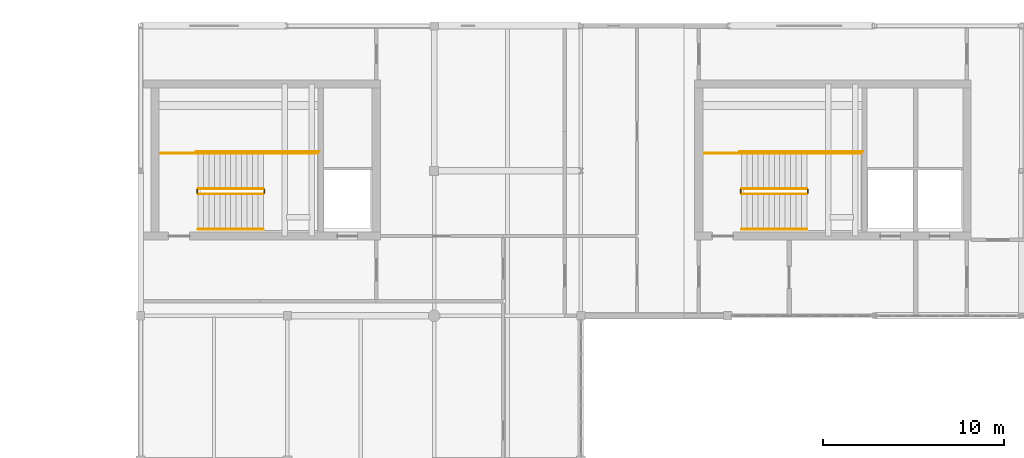
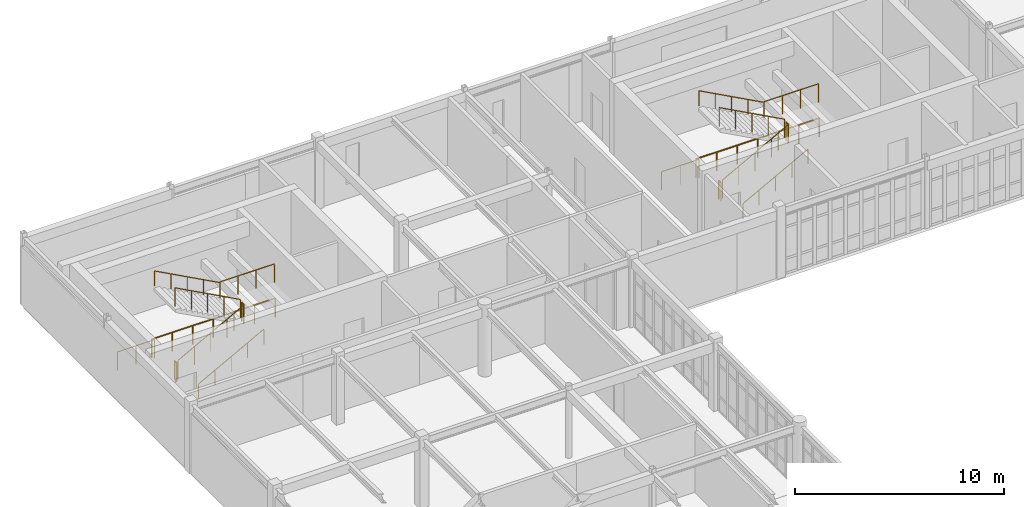
# One storey, part 35 of 36: 18 railings.
"""IFC4 building model written with IfcOpenShell, lengths in metres."""

from ifc_helpers import new_model, si_unit, direction, frame, origin, origin_2d, place, context, subcontext, project, spatial, circle, extrude, material, type_object, element, save


model = new_model("IFC4")

# Units and contexts
model_context = context("Model", 3, precision=1e-05, world=origin(), true_north=direction((0.0, 1.0)))
body_context = subcontext(model_context, "Body", "Model", "MODEL_VIEW")
ifc_project = project(units=[si_unit("LENGTHUNIT", "METRE"), si_unit("AREAUNIT", "SQUARE_METRE"), si_unit("VOLUMEUNIT", "CUBIC_METRE"), si_unit("PLANEANGLEUNIT", "RADIAN"), si_unit("MASSUNIT", "GRAM", prefix="KILO")], contexts=[model_context])

# Site, building, storey
site_placement = place(None, origin())
site = spatial("IfcSite", under=ifc_project, at=site_placement, CompositionType="ELEMENT")
building_placement = place(site_placement, origin())
building = spatial("IfcBuilding", under=site, at=building_placement, Name="Tarnveldt Square Police Headquarters", CompositionType="ELEMENT")
storey_placement = place(building_placement, frame((0.0, 0.0, 24.89990234375)))
storey = spatial("IfcBuildingStorey", under=building, at=storey_placement, Name="L05", CompositionType="ELEMENT", Elevation=24.89990234375)

# Railings
ifc_material = material(Name="Steel 350W", Category="steel")
railing_type_1 = type_object("IfcRailingType", Name="RL-GR-1100", PredefinedType="GUARDRAIL", material=ifc_material)
railing_1_placement = place(storey_placement, frame((19.3701171875, 102.719970703125, 0.16162109375)))
element("IfcRailing", 1, at=railing_1_placement, inside=storey, type_object=railing_type_1, Name="L05 ST2 stair guard 1", PredefinedType="GUARDRAIL", context=body_context, shape_type="SweptSolid", body=[
    extrude(circle(Radius=0.02392578125, at=origin_2d()), frame((0.0, 0.0, 1.076171875), z_axis=(0.880461512865, 0.0, 0.474117627138), x_axis=(0.0, 1.0, 0.0)), (0.0, 0.0, 1.0), 4.088623046875),
    extrude(circle(Radius=0.02099609375, at=origin_2d()), origin(), (0.0, 0.0, 1.0), 1.052001953125),
    extrude(circle(Radius=0.02099609375, at=origin_2d()), frame((0.89990234375, 0.0, 0.484619140625)), (0.0, 0.0, 1.0), 1.052001953125),
    extrude(circle(Radius=0.02099609375, at=origin_2d()), frame((1.7998046875, 0.0, 0.96923828125)), (0.0, 0.0, 1.0), 1.052001953125),
    extrude(circle(Radius=0.02099609375, at=origin_2d()), frame((2.699951171875, 0.0, 1.453857421875)), (0.0, 0.0, 1.0), 1.052001953125),
    extrude(circle(Radius=0.02099609375, at=origin_2d()), frame((3.599853515625, 0.0, 1.9384765625)), (0.0, 0.0, 1.0), 1.052001953125),
])
railing_2_placement = place(storey_placement, frame((23.02001953125, 102.77001953125, 2.10009765625)))
element("IfcRailing", 2, at=railing_2_placement, inside=storey, type_object=railing_type_1, Name="L05 ST2 stair guard 2", PredefinedType="GUARDRAIL", context=body_context, shape_type="SweptSolid", body=[
    extrude(circle(Radius=0.02392578125, at=origin_2d()), frame((0.0, 0.0, 1.076171875), z_axis=(0.0, 1.0, 0.0), x_axis=(-1.0, 0.0, 0.0)), (0.0, 0.0, 1.0), 0.199951171875),
    extrude(circle(Radius=0.02099609375, at=origin_2d()), origin(), (0.0, 0.0, 1.0), 1.052001953125),
    extrude(circle(Radius=0.02099609375, at=origin_2d()), frame((0.0, 0.199951171875, 0.0)), (0.0, 0.0, 1.0), 1.052001953125),
])
railing_3_placement = place(storey_placement, frame((22.969970703125, 104.969970703125, 2.10009765625)))
element("IfcRailing", 3, at=railing_3_placement, inside=storey, type_object=railing_type_1, Name="L05 ST2 stair guard 3", PredefinedType="GUARDRAIL", context=body_context, shape_type="SweptSolid", body=[
    extrude(circle(Radius=0.02392578125, at=origin_2d()), frame((0.0, 0.0, 1.076171875), z_axis=(1.0, 0.0, 0.0), x_axis=(0.0, 1.0, 0.0)), (0.0, 0.0, 1.0), 3.0),
    extrude(circle(Radius=0.02099609375, at=origin_2d()), origin(), (0.0, 0.0, 1.0), 1.052001953125),
    extrude(circle(Radius=0.02099609375, at=origin_2d()), frame((1.0, 0.0, 0.0)), (0.0, 0.0, 1.0), 1.052001953125),
    extrude(circle(Radius=0.02099609375, at=origin_2d()), frame((2.0, 0.0, 0.0)), (0.0, 0.0, 1.0), 1.052001953125),
    extrude(circle(Radius=0.02099609375, at=origin_2d()), frame((3.0, 0.0, 0.0)), (0.0, 0.0, 1.0), 1.052001953125),
])
railing_4_placement = place(storey_placement, frame((22.969970703125, 103.02001953125, 2.26171875)))
element("IfcRailing", 4, at=railing_4_placement, inside=storey, type_object=railing_type_1, Name="L05 ST2 stair guard 4", PredefinedType="GUARDRAIL", context=body_context, shape_type="SweptSolid", body=[
    extrude(circle(Radius=0.02392578125, at=origin_2d()), frame((0.0, 0.0, 1.076171875), z_axis=(-0.880461512865, 0.0, 0.474117627138), x_axis=(0.0, -1.0, 0.0)), (0.0, 0.0, 1.0), 4.088623046875),
    extrude(circle(Radius=0.02099609375, at=origin_2d()), origin(), (0.0, 0.0, 1.0), 1.052001953125),
    extrude(circle(Radius=0.02099609375, at=origin_2d()), frame((-0.89990234375, 0.0, 0.484619140625)), (0.0, 0.0, 1.0), 1.052001953125),
    extrude(circle(Radius=0.02099609375, at=origin_2d()), frame((-1.7998046875, 0.0, 0.96923828125)), (0.0, 0.0, 1.0), 1.052001953125),
    extrude(circle(Radius=0.02099609375, at=origin_2d()), frame((-2.699951171875, 0.0, 1.453857421875)), (0.0, 0.0, 1.0), 1.052001953125),
    extrude(circle(Radius=0.02099609375, at=origin_2d()), frame((-3.599853515625, 0.0, 1.9384765625)), (0.0, 0.0, 1.0), 1.052001953125),
])
railing_5_placement = place(storey_placement, frame((19.320068359375, 102.77001953125, 0.0)))
element("IfcRailing", 5, at=railing_5_placement, inside=storey, type_object=railing_type_1, Name="L05 ST2 stair guard 5", PredefinedType="GUARDRAIL", context=body_context, shape_type="SweptSolid", body=[
    extrude(circle(Radius=0.02392578125, at=origin_2d()), frame((0.0, 0.0, 1.076171875), z_axis=(0.0, 1.0, 0.0), x_axis=(-1.0, 0.0, 0.0)), (0.0, 0.0, 1.0), 0.199951171875),
    extrude(circle(Radius=0.02099609375, at=origin_2d()), origin(), (0.0, 0.0, 1.0), 1.052001953125),
    extrude(circle(Radius=0.02099609375, at=origin_2d()), frame((0.0, 0.199951171875, 0.0)), (0.0, 0.0, 1.0), 1.052001953125),
])
railing_6_placement = place(storey_placement, frame((17.320068359375, 104.969970703125, 0.0)))
element("IfcRailing", 6, at=railing_6_placement, inside=storey, type_object=railing_type_1, Name="L05 ST2 stair guard 6", PredefinedType="GUARDRAIL", context=body_context, shape_type="SweptSolid", body=[
    extrude(circle(Radius=0.02392578125, at=origin_2d()), frame((0.0, 0.0, 1.076171875), z_axis=(1.0, 0.0, 0.0), x_axis=(0.0, 1.0, 0.0)), (0.0, 0.0, 1.0), 2.050048828125),
    extrude(circle(Radius=0.02099609375, at=origin_2d()), origin(), (0.0, 0.0, 1.0), 1.052001953125),
    extrude(circle(Radius=0.02099609375, at=origin_2d()), frame((1.02490234375, 0.0, 0.0)), (0.0, 0.0, 1.0), 1.052001953125),
    extrude(circle(Radius=0.02099609375, at=origin_2d()), frame((2.050048828125, 0.0, 0.0)), (0.0, 0.0, 1.0), 1.052001953125),
])
railing_7_placement = place(storey_placement, frame((19.27001953125, 105.070068359375, 0.0)))
element("IfcRailing", 7, at=railing_7_placement, inside=storey, type_object=railing_type_1, Name="L05 ST2 stair guard 7", PredefinedType="GUARDRAIL", context=body_context, shape_type="SweptSolid", body=[
    extrude(circle(Radius=0.02392578125, at=origin_2d()), frame((0.0, 0.0, 1.076171875), z_axis=(1.0, 0.0, 0.0), x_axis=(0.0, 1.0, 0.0)), (0.0, 0.0, 1.0), 6.800048828125),
    extrude(circle(Radius=0.02099609375, at=origin_2d()), origin(), (0.0, 0.0, 1.0), 1.052001953125),
    extrude(circle(Radius=0.02099609375, at=origin_2d()), frame((1.13330078125, 0.0, 0.0)), (0.0, 0.0, 1.0), 1.052001953125),
    extrude(circle(Radius=0.02099609375, at=origin_2d()), frame((2.2666015625, 0.0, 0.0)), (0.0, 0.0, 1.0), 1.052001953125),
    extrude(circle(Radius=0.02099609375, at=origin_2d()), frame((3.39990234375, 0.0, 0.0)), (0.0, 0.0, 1.0), 1.052001953125),
    extrude(circle(Radius=0.02099609375, at=origin_2d()), frame((4.533447265625, 0.0, 0.0)), (0.0, 0.0, 1.0), 1.052001953125),
    extrude(circle(Radius=0.02099609375, at=origin_2d()), frame((5.666748046875, 0.0, 0.0)), (0.0, 0.0, 1.0), 1.052001953125),
    extrude(circle(Radius=0.02099609375, at=origin_2d()), frame((6.800048828125, 0.0, 0.0)), (0.0, 0.0, 1.0), 1.052001953125),
])
railing_8_placement = place(storey_placement, frame((49.3701171875, 102.719970703125, 0.16162109375)))
element("IfcRailing", 8, at=railing_8_placement, inside=storey, type_object=railing_type_1, Name="L05 ST3 stair guard 1", PredefinedType="GUARDRAIL", context=body_context, shape_type="SweptSolid", body=[
    extrude(circle(Radius=0.02392578125, at=origin_2d()), frame((0.0, 0.0, 1.076171875), z_axis=(0.880461512865, 0.0, 0.474117627138), x_axis=(0.0, 1.0, 0.0)), (0.0, 0.0, 1.0), 4.088623046875),
    extrude(circle(Radius=0.02099609375, at=origin_2d()), origin(), (0.0, 0.0, 1.0), 1.052001953125),
    extrude(circle(Radius=0.02099609375, at=origin_2d()), frame((0.89990234375, 0.0, 0.484619140625)), (0.0, 0.0, 1.0), 1.052001953125),
    extrude(circle(Radius=0.02099609375, at=origin_2d()), frame((1.7998046875, 0.0, 0.96923828125)), (0.0, 0.0, 1.0), 1.052001953125),
    extrude(circle(Radius=0.02099609375, at=origin_2d()), frame((2.699951171875, 0.0, 1.453857421875)), (0.0, 0.0, 1.0), 1.052001953125),
    extrude(circle(Radius=0.02099609375, at=origin_2d()), frame((3.599853515625, 0.0, 1.9384765625)), (0.0, 0.0, 1.0), 1.052001953125),
])
railing_9_placement = place(storey_placement, frame((53.02001953125, 102.77001953125, 2.10009765625)))
element("IfcRailing", 9, at=railing_9_placement, inside=storey, type_object=railing_type_1, Name="L05 ST3 stair guard 2", PredefinedType="GUARDRAIL", context=body_context, shape_type="SweptSolid", body=[
    extrude(circle(Radius=0.02392578125, at=origin_2d()), frame((0.0, 0.0, 1.076171875), z_axis=(0.0, 1.0, 0.0), x_axis=(-1.0, 0.0, 0.0)), (0.0, 0.0, 1.0), 0.199951171875),
    extrude(circle(Radius=0.02099609375, at=origin_2d()), origin(), (0.0, 0.0, 1.0), 1.052001953125),
    extrude(circle(Radius=0.02099609375, at=origin_2d()), frame((0.0, 0.199951171875, 0.0)), (0.0, 0.0, 1.0), 1.052001953125),
])
railing_10_placement = place(storey_placement, frame((52.969970703125, 104.969970703125, 2.10009765625)))
element("IfcRailing", 10, at=railing_10_placement, inside=storey, type_object=railing_type_1, Name="L05 ST3 stair guard 3", PredefinedType="GUARDRAIL", context=body_context, shape_type="SweptSolid", body=[
    extrude(circle(Radius=0.02392578125, at=origin_2d()), frame((0.0, 0.0, 1.076171875), z_axis=(1.0, 0.0, 0.0), x_axis=(0.0, 1.0, 0.0)), (0.0, 0.0, 1.0), 3.0),
    extrude(circle(Radius=0.02099609375, at=origin_2d()), origin(), (0.0, 0.0, 1.0), 1.052001953125),
    extrude(circle(Radius=0.02099609375, at=origin_2d()), frame((1.0, 0.0, 0.0)), (0.0, 0.0, 1.0), 1.052001953125),
    extrude(circle(Radius=0.02099609375, at=origin_2d()), frame((2.0, 0.0, 0.0)), (0.0, 0.0, 1.0), 1.052001953125),
    extrude(circle(Radius=0.02099609375, at=origin_2d()), frame((3.0, 0.0, 0.0)), (0.0, 0.0, 1.0), 1.052001953125),
])
railing_11_placement = place(storey_placement, frame((52.969970703125, 103.02001953125, 2.26171875)))
element("IfcRailing", 11, at=railing_11_placement, inside=storey, type_object=railing_type_1, Name="L05 ST3 stair guard 4", PredefinedType="GUARDRAIL", context=body_context, shape_type="SweptSolid", body=[
    extrude(circle(Radius=0.02392578125, at=origin_2d()), frame((0.0, 0.0, 1.076171875), z_axis=(-0.880461512865, 0.0, 0.474117627138), x_axis=(0.0, -1.0, 0.0)), (0.0, 0.0, 1.0), 4.088623046875),
    extrude(circle(Radius=0.02099609375, at=origin_2d()), origin(), (0.0, 0.0, 1.0), 1.052001953125),
    extrude(circle(Radius=0.02099609375, at=origin_2d()), frame((-0.89990234375, 0.0, 0.484619140625)), (0.0, 0.0, 1.0), 1.052001953125),
    extrude(circle(Radius=0.02099609375, at=origin_2d()), frame((-1.7998046875, 0.0, 0.96923828125)), (0.0, 0.0, 1.0), 1.052001953125),
    extrude(circle(Radius=0.02099609375, at=origin_2d()), frame((-2.699951171875, 0.0, 1.453857421875)), (0.0, 0.0, 1.0), 1.052001953125),
    extrude(circle(Radius=0.02099609375, at=origin_2d()), frame((-3.599853515625, 0.0, 1.9384765625)), (0.0, 0.0, 1.0), 1.052001953125),
])
railing_12_placement = place(storey_placement, frame((49.320068359375, 102.77001953125, 0.0)))
element("IfcRailing", 12, at=railing_12_placement, inside=storey, type_object=railing_type_1, Name="L05 ST3 stair guard 5", PredefinedType="GUARDRAIL", context=body_context, shape_type="SweptSolid", body=[
    extrude(circle(Radius=0.02392578125, at=origin_2d()), frame((0.0, 0.0, 1.076171875), z_axis=(0.0, 1.0, 0.0), x_axis=(-1.0, 0.0, 0.0)), (0.0, 0.0, 1.0), 0.199951171875),
    extrude(circle(Radius=0.02099609375, at=origin_2d()), origin(), (0.0, 0.0, 1.0), 1.052001953125),
    extrude(circle(Radius=0.02099609375, at=origin_2d()), frame((0.0, 0.199951171875, 0.0)), (0.0, 0.0, 1.0), 1.052001953125),
])
railing_13_placement = place(storey_placement, frame((47.320068359375, 104.969970703125, 0.0)))
element("IfcRailing", 13, at=railing_13_placement, inside=storey, type_object=railing_type_1, Name="L05 ST3 stair guard 6", PredefinedType="GUARDRAIL", context=body_context, shape_type="SweptSolid", body=[
    extrude(circle(Radius=0.02392578125, at=origin_2d()), frame((0.0, 0.0, 1.076171875), z_axis=(1.0, 0.0, 0.0), x_axis=(0.0, 1.0, 0.0)), (0.0, 0.0, 1.0), 2.050048828125),
    extrude(circle(Radius=0.02099609375, at=origin_2d()), origin(), (0.0, 0.0, 1.0), 1.052001953125),
    extrude(circle(Radius=0.02099609375, at=origin_2d()), frame((1.02490234375, 0.0, 0.0)), (0.0, 0.0, 1.0), 1.052001953125),
    extrude(circle(Radius=0.02099609375, at=origin_2d()), frame((2.050048828125, 0.0, 0.0)), (0.0, 0.0, 1.0), 1.052001953125),
])
railing_14_placement = place(storey_placement, frame((49.27001953125, 105.070068359375, 0.0)))
element("IfcRailing", 14, at=railing_14_placement, inside=storey, type_object=railing_type_1, Name="L05 ST3 stair guard 7", PredefinedType="GUARDRAIL", context=body_context, shape_type="SweptSolid", body=[
    extrude(circle(Radius=0.02392578125, at=origin_2d()), frame((0.0, 0.0, 1.076171875), z_axis=(1.0, 0.0, 0.0), x_axis=(0.0, 1.0, 0.0)), (0.0, 0.0, 1.0), 6.800048828125),
    extrude(circle(Radius=0.02099609375, at=origin_2d()), origin(), (0.0, 0.0, 1.0), 1.052001953125),
    extrude(circle(Radius=0.02099609375, at=origin_2d()), frame((1.13330078125, 0.0, 0.0)), (0.0, 0.0, 1.0), 1.052001953125),
    extrude(circle(Radius=0.02099609375, at=origin_2d()), frame((2.2666015625, 0.0, 0.0)), (0.0, 0.0, 1.0), 1.052001953125),
    extrude(circle(Radius=0.02099609375, at=origin_2d()), frame((3.39990234375, 0.0, 0.0)), (0.0, 0.0, 1.0), 1.052001953125),
    extrude(circle(Radius=0.02099609375, at=origin_2d()), frame((4.533447265625, 0.0, 0.0)), (0.0, 0.0, 1.0), 1.052001953125),
    extrude(circle(Radius=0.02099609375, at=origin_2d()), frame((5.666748046875, 0.0, 0.0)), (0.0, 0.0, 1.0), 1.052001953125),
    extrude(circle(Radius=0.02099609375, at=origin_2d()), frame((6.800048828125, 0.0, 0.0)), (0.0, 0.0, 1.0), 1.052001953125),
])
railing_type_2 = type_object("IfcRailingType", Name="RL-HR-900", PredefinedType="HANDRAIL", material=ifc_material)
railing_15_placement = place(storey_placement, frame((19.3701171875, 100.77001953125, 0.16162109375)))
element("IfcRailing", 15, at=railing_15_placement, inside=storey, type_object=railing_type_2, Name="L05 ST2 stair handrail 1", PredefinedType="HANDRAIL", context=body_context, shape_type="SweptSolid", body=[
    extrude(circle(Radius=0.02392578125, at=origin_2d()), frame((0.0, 0.0, 0.8759765625), z_axis=(0.880461512865, 0.0, 0.474117627138), x_axis=(0.0, 1.0, 0.0)), (0.0, 0.0, 1.0), 4.088623046875),
    extrude(circle(Radius=0.02099609375, at=origin_2d()), origin(), (0.0, 0.0, 1.0), 0.851806640625),
    extrude(circle(Radius=0.02099609375, at=origin_2d()), frame((0.89990234375, 0.0, 0.484619140625)), (0.0, 0.0, 1.0), 0.851806640625),
    extrude(circle(Radius=0.02099609375, at=origin_2d()), frame((1.7998046875, 0.0, 0.96923828125)), (0.0, 0.0, 1.0), 0.851806640625),
    extrude(circle(Radius=0.02099609375, at=origin_2d()), frame((2.699951171875, 0.0, 1.453857421875)), (0.0, 0.0, 1.0), 0.851806640625),
    extrude(circle(Radius=0.02099609375, at=origin_2d()), frame((3.599853515625, 0.0, 1.9384765625)), (0.0, 0.0, 1.0), 0.851806640625),
])
railing_16_placement = place(storey_placement, frame((22.969970703125, 104.969970703125, 2.26171875)))
element("IfcRailing", 16, at=railing_16_placement, inside=storey, type_object=railing_type_2, Name="L05 ST2 stair handrail 2", PredefinedType="HANDRAIL", context=body_context, shape_type="SweptSolid", body=[
    extrude(circle(Radius=0.02392578125, at=origin_2d()), frame((0.0, 0.0, 0.8759765625), z_axis=(-0.880461512865, 0.0, 0.474117627138), x_axis=(0.0, -1.0, 0.0)), (0.0, 0.0, 1.0), 4.088623046875),
    extrude(circle(Radius=0.02099609375, at=origin_2d()), origin(), (0.0, 0.0, 1.0), 0.851806640625),
    extrude(circle(Radius=0.02099609375, at=origin_2d()), frame((-0.89990234375, 0.0, 0.484619140625)), (0.0, 0.0, 1.0), 0.851806640625),
    extrude(circle(Radius=0.02099609375, at=origin_2d()), frame((-1.7998046875, 0.0, 0.96923828125)), (0.0, 0.0, 1.0), 0.851806640625),
    extrude(circle(Radius=0.02099609375, at=origin_2d()), frame((-2.699951171875, 0.0, 1.453857421875)), (0.0, 0.0, 1.0), 0.851806640625),
    extrude(circle(Radius=0.02099609375, at=origin_2d()), frame((-3.599853515625, 0.0, 1.9384765625)), (0.0, 0.0, 1.0), 0.851806640625),
])
railing_17_placement = place(storey_placement, frame((49.3701171875, 100.77001953125, 0.16162109375)))
element("IfcRailing", 17, at=railing_17_placement, inside=storey, type_object=railing_type_2, Name="L05 ST3 stair handrail 1", PredefinedType="HANDRAIL", context=body_context, shape_type="SweptSolid", body=[
    extrude(circle(Radius=0.02392578125, at=origin_2d()), frame((0.0, 0.0, 0.8759765625), z_axis=(0.880461512865, 0.0, 0.474117627138), x_axis=(0.0, 1.0, 0.0)), (0.0, 0.0, 1.0), 4.088623046875),
    extrude(circle(Radius=0.02099609375, at=origin_2d()), origin(), (0.0, 0.0, 1.0), 0.851806640625),
    extrude(circle(Radius=0.02099609375, at=origin_2d()), frame((0.89990234375, 0.0, 0.484619140625)), (0.0, 0.0, 1.0), 0.851806640625),
    extrude(circle(Radius=0.02099609375, at=origin_2d()), frame((1.7998046875, 0.0, 0.96923828125)), (0.0, 0.0, 1.0), 0.851806640625),
    extrude(circle(Radius=0.02099609375, at=origin_2d()), frame((2.699951171875, 0.0, 1.453857421875)), (0.0, 0.0, 1.0), 0.851806640625),
    extrude(circle(Radius=0.02099609375, at=origin_2d()), frame((3.599853515625, 0.0, 1.9384765625)), (0.0, 0.0, 1.0), 0.851806640625),
])
railing_18_placement = place(storey_placement, frame((52.969970703125, 104.969970703125, 2.26171875)))
element("IfcRailing", 18, at=railing_18_placement, inside=storey, type_object=railing_type_2, Name="L05 ST3 stair handrail 2", PredefinedType="HANDRAIL", context=body_context, shape_type="SweptSolid", body=[
    extrude(circle(Radius=0.02392578125, at=origin_2d()), frame((0.0, 0.0, 0.8759765625), z_axis=(-0.880461512865, 0.0, 0.474117627138), x_axis=(0.0, -1.0, 0.0)), (0.0, 0.0, 1.0), 4.088623046875),
    extrude(circle(Radius=0.02099609375, at=origin_2d()), origin(), (0.0, 0.0, 1.0), 0.851806640625),
    extrude(circle(Radius=0.02099609375, at=origin_2d()), frame((-0.89990234375, 0.0, 0.484619140625)), (0.0, 0.0, 1.0), 0.851806640625),
    extrude(circle(Radius=0.02099609375, at=origin_2d()), frame((-1.7998046875, 0.0, 0.96923828125)), (0.0, 0.0, 1.0), 0.851806640625),
    extrude(circle(Radius=0.02099609375, at=origin_2d()), frame((-2.699951171875, 0.0, 1.453857421875)), (0.0, 0.0, 1.0), 0.851806640625),
    extrude(circle(Radius=0.02099609375, at=origin_2d()), frame((-3.599853515625, 0.0, 1.9384765625)), (0.0, 0.0, 1.0), 0.851806640625),
])

save(model, "model.ifc")
